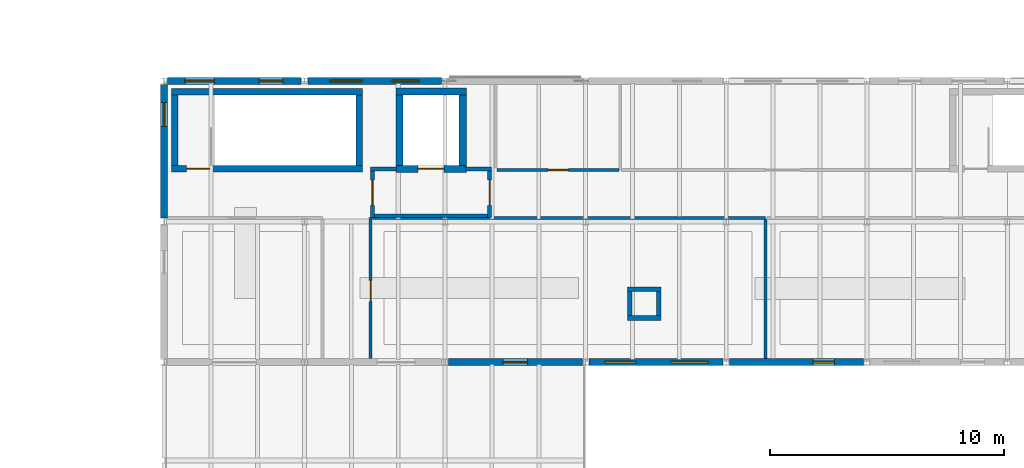
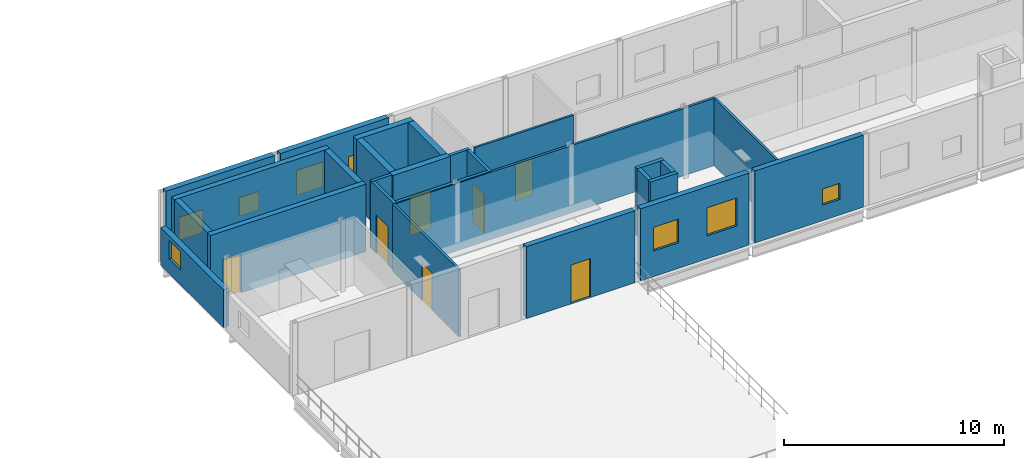
# One storey, part 34 of 45: 27 walls, 8 windows, 7 doors, 15 openings.
"""IFC4 building model written with IfcOpenShell, lengths in metres."""

from ifc_helpers import new_model, si_unit, direction, frame, frame_2d, origin, place, context, subcontext, project, spatial, rectangle, extrude, material, layer, layer_set, type_object, element, fill, save


model = new_model("IFC4")

# Units and contexts
model_context = context("Model", 3, precision=1e-05, world=origin(), true_north=direction((0.0, 1.0)))
body_context = subcontext(model_context, "Body", "Model", "MODEL_VIEW")
ifc_project = project(units=[si_unit("LENGTHUNIT", "METRE"), si_unit("AREAUNIT", "SQUARE_METRE"), si_unit("VOLUMEUNIT", "CUBIC_METRE"), si_unit("PLANEANGLEUNIT", "RADIAN"), si_unit("MASSUNIT", "GRAM", prefix="KILO")], contexts=[model_context])

# Site, building, storey
site_placement = place(None, origin())
site = spatial("IfcSite", under=ifc_project, at=site_placement, CompositionType="ELEMENT")
building_placement = place(site_placement, origin())
building = spatial("IfcBuilding", under=site, at=building_placement, Name="Siltcreek Boulevard Central Fire Station", CompositionType="ELEMENT")
storey_placement = place(building_placement, frame((0.0, 0.0, 10.0)))
storey = spatial("IfcBuildingStorey", under=building, at=storey_placement, Name="L03", CompositionType="ELEMENT", Elevation=10.0)

# Wall, opening, door
ifc_material_1 = material(Name="Concrete C40/50", Category="concrete")
ifc_layer_1 = layer(ifc_material_1, 0.280029296875, Name="Concrete C40/50")
ifc_layer_set_1 = layer_set([ifc_layer_1], Name="Concrete C40/50")
wall_type_1 = type_object("IfcWallType", Name="CW_SHEAR280", PredefinedType="SHEAR", material=ifc_layer_set_1)
wall_1_placement = place(storey_placement, frame((124.52001953125, 26.260009765625, 0.0), z_axis=(0.0, 0.0, 1.0), x_axis=(1.0, 0.0, 0.0)))
wall_1 = element("IfcWall", 1, at=wall_1_placement, inside=storey, type_object=wall_type_1, Name="L03 ST-V6A stair enclosure south shear wall", PredefinedType="SHEAR", context=body_context, shape_type="SweptSolid", body=[
    extrude(rectangle(XDim=8.159912109375, YDim=0.280029296875, at=frame_2d((4.080078125, 0.0))), origin(), (0.0, 0.0, 1.0), 3.75),
])
opening_1_placement = place(wall_1_placement, frame((0.64990234375, 0.0, 0.0)))
opening_1 = element("IfcOpeningElement", 2, at=opening_1_placement, cuts=wall_1, Name="Opening SD-046", PredefinedType="OPENING", context=body_context, shape_type="SweptSolid", body=[
    extrude(rectangle(XDim=0.97998046875, YDim=2.14990234375, at=frame_2d((0.489990234375, 1.074951171875))), frame((0.0, 0.14990234375, 0.0), z_axis=(0.0, -1.0, 0.0), x_axis=(1.0, 0.0, 0.0)), (0.0, 0.0, 1.0), 0.300048828125),
])
ifc_material_2 = material(Name="Hollow metal 90-min enclosed stair door")
door_type_1 = type_object("IfcDoorType", Name="DR_ST_098X215", OperationType="NOTDEFINED", PredefinedType="DOOR", material=ifc_material_2)
door_1_placement = place(opening_1_placement, origin())
door_1 = element("IfcDoor", 3, at=door_1_placement, inside=storey, type_object=door_type_1, Name="L03 ST-V6A enclosed exit stair door SD-046", OperationType="SINGLE_SWING_LEFT", OverallHeight=2.14990234375, OverallWidth=0.97998046875, PredefinedType="DOOR", context=body_context, shape_type="SweptSolid", body=[
    extrude(rectangle(XDim=0.97998046875, YDim=2.14990234375, at=frame_2d((0.489990234375, 1.074951171875))), frame((0.0, 0.02490234375, 0.0), z_axis=(0.0, -1.0, 0.0), x_axis=(1.0, 0.0, 0.0)), (0.0, 0.0, 1.0), 0.050048828125),
])
fill(opening_1, door_1)

# Walls
wall_2_placement = place(storey_placement, frame((132.679931640625, 29.5400390625, 0.0), z_axis=(0.0, 0.0, 1.0), x_axis=(-1.0, 0.0, 0.0)))
element("IfcWall", 4, at=wall_2_placement, inside=storey, type_object=wall_type_1, Name="L03 ST-V6A stair enclosure north shear wall", PredefinedType="SHEAR", context=body_context, shape_type="SweptSolid", body=[
    extrude(rectangle(XDim=8.159912109375, YDim=0.280029296875, at=frame_2d((4.080078125, 0.0))), origin(), (0.0, 0.0, 1.0), 3.75),
])
for number, where, z_axis, x_axis, name in (
    (5, (124.659912109375, 29.39990234375, 0.0), (0.0, 0.0, 1.0), (0.0, -1.0, 0.0), "L03 ST-V6A stair enclosure west shear wall"),
    (6, (132.5400390625, 26.39990234375, 0.0), (0.0, 0.0, 1.0), (0.0, 1.0, 0.0), "L03 ST-V6A stair enclosure east shear wall"),
):
    element("IfcWall", number, at=place(storey_placement, frame(where, z_axis=z_axis, x_axis=x_axis)), inside=storey, type_object=wall_type_1, Name=name, PredefinedType="SHEAR", context=body_context, shape_type="SweptSolid", body=[
        extrude(rectangle(XDim=3.0, YDim=0.280029296875, at=frame_2d((1.5, 0.0))), origin(), (0.0, 0.0, 1.0), 3.75),
    ])

# Wall, opening, door
ifc_layer_2 = layer(ifc_material_1, 0.304931640625, Name="Concrete C40/50")
ifc_layer_set_2 = layer_set([ifc_layer_2], Name="Concrete C40/50")
wall_type_2 = type_object("IfcWallType", Name="CW_SHEAR305", PredefinedType="SHEAR", material=ifc_layer_set_2)
wall_3_placement = place(storey_placement, frame((134.094970703125, 26.24755859375, 0.0), z_axis=(0.0, 0.0, 1.0), x_axis=(1.0, 0.0, 0.0)))
wall_3 = element("IfcWall", 7, at=wall_3_placement, inside=storey, type_object=wall_type_2, Name="L03 EL-05 elevator shaft south shear wall", PredefinedType="SHEAR", context=body_context, shape_type="SweptSolid", body=[
    extrude(rectangle(XDim=3.010009765625, YDim=0.304931640625, at=frame_2d((1.5048828125, 0.0))), origin(), (0.0, 0.0, 1.0), 3.75),
])
opening_2_placement = place(wall_3_placement, frame((0.955078125, 0.0, 0.0)))
opening_2 = element("IfcOpeningElement", 8, at=opening_2_placement, cuts=wall_3, Name="Opening LD01", PredefinedType="OPENING", context=body_context, shape_type="SweptSolid", body=[
    extrude(rectangle(XDim=1.10009765625, YDim=2.14990234375, at=frame_2d((0.550048828125, 1.074951171875))), frame((0.0, 0.162353515625, 0.0), z_axis=(0.0, -1.0, 0.0), x_axis=(1.0, 0.0, 0.0)), (0.0, 0.0, 1.0), 0.324951171875),
])
ifc_material_3 = material(Name="Stainless steel fire-rated sliding elevator landing door", Category="steel")
door_type_2 = type_object("IfcDoorType", Name="DR_LD_110X215", OperationType="NOTDEFINED", PredefinedType="DOOR", material=ifc_material_3)
door_2_placement = place(opening_2_placement, origin())
door_2 = element("IfcDoor", 9, at=door_2_placement, inside=storey, type_object=door_type_2, Name="L03 EL-05 elevator sliding landing door LD-24", OperationType="SLIDING_TO_LEFT", OverallHeight=2.14990234375, OverallWidth=1.10009765625, PredefinedType="DOOR", context=body_context, shape_type="SweptSolid", body=[
    extrude(rectangle(XDim=1.10009765625, YDim=2.14990234375, at=frame_2d((0.550048828125, 1.074951171875))), frame((0.0, 0.02490234375, 0.0), z_axis=(0.0, -1.0, 0.0), x_axis=(1.0, 0.0, 0.0)), (0.0, 0.0, 1.0), 0.050048828125),
])
fill(opening_2, door_2)

# Walls
wall_4_placement = place(storey_placement, frame((137.10498046875, 29.552490234375, 0.0), z_axis=(0.0, 0.0, 1.0), x_axis=(-1.0, 0.0, 0.0)))
element("IfcWall", 10, at=wall_4_placement, inside=storey, type_object=wall_type_2, Name="L03 EL-05 elevator shaft north shear wall", PredefinedType="SHEAR", context=body_context, shape_type="SweptSolid", body=[
    extrude(rectangle(XDim=3.010009765625, YDim=0.304931640625, at=frame_2d((1.5048828125, 0.0))), origin(), (0.0, 0.0, 1.0), 3.75),
])
for number, where, z_axis, x_axis, name in (
    (11, (134.24755859375, 29.39990234375, 0.0), (0.0, 0.0, 1.0), (0.0, -1.0, 0.0), "L03 EL-05 elevator shaft west shear wall"),
    (12, (136.952392578125, 26.39990234375, 0.0), (0.0, 0.0, 1.0), (0.0, 1.0, 0.0), "L03 EL-05 elevator shaft east shear wall"),
):
    element("IfcWall", number, at=place(storey_placement, frame(where, z_axis=z_axis, x_axis=x_axis)), inside=storey, type_object=wall_type_2, Name=name, PredefinedType="SHEAR", context=body_context, shape_type="SweptSolid", body=[
        extrude(rectangle(XDim=3.0, YDim=0.304931640625, at=frame_2d((1.5, 0.0))), origin(), (0.0, 0.0, 1.0), 3.75),
    ])

# Wall, opening, door
ifc_material_4 = material(Name="White ribbed aluminum spandrel wall", Category="aluminium")
ifc_layer_3 = layer(ifc_material_4, 0.2900390625, Name="White ribbed aluminum spandrel wall")
ifc_layer_set_3 = layer_set([ifc_layer_3], Name="White ribbed aluminum spandrel wall")
wall_type_3 = type_object("IfcWallType", Name="EW_METAL290", PredefinedType="STANDARD", material=ifc_layer_set_3)
wall_5_placement = place(storey_placement, frame((136.344970703125, 18.0, 0.0), z_axis=(0.0, 0.0, 1.0), x_axis=(1.0, 0.0, 0.0)))
wall_5 = element("IfcWall", 13, at=wall_5_placement, inside=storey, type_object=wall_type_3, Name="L03 V6 exterior insulated rainscreen wall WL-EXT-L03-0487", PredefinedType="STANDARD", context=body_context, shape_type="SweptSolid", body=[
    extrude(rectangle(XDim=5.7099609375, YDim=0.2900390625, at=frame_2d((2.85498046875, 0.0))), origin(), (0.0, 0.0, 1.0), 4.0),
])
opening_3_placement = place(wall_5_placement, frame((2.3349609375, 0.0, 0.0)))
opening_3 = element("IfcOpeningElement", 14, at=opening_3_placement, cuts=wall_5, Name="Opening TD-047", PredefinedType="OPENING", context=body_context, shape_type="SweptSolid", body=[
    extrude(rectangle(XDim=1.0400390625, YDim=2.159912109375, at=frame_2d((0.52001953125, 1.080078125))), frame((0.0, 0.155029296875, 0.0), z_axis=(0.0, -1.0, 0.0), x_axis=(1.0, 0.0, 0.0)), (0.0, 0.0, 1.0), 0.31005859375),
])
ifc_material_5 = material(Name="Thermally broken glazed terrace single door")
door_type_3 = type_object("IfcDoorType", Name="DR_TER_104X216", OperationType="NOTDEFINED", PredefinedType="DOOR", material=ifc_material_5)
door_3_placement = place(opening_3_placement, frame((1.0400390625, 0.0, 0.0), z_axis=(0.0, 0.0, 1.0), x_axis=(-1.0, 0.0, 0.0)))
door_3 = element("IfcDoor", 15, at=door_3_placement, inside=storey, type_object=door_type_3, Name="L03 V6 outdoor terrace access door TD-047", OperationType="SINGLE_SWING_RIGHT", OverallHeight=2.159912109375, OverallWidth=1.0400390625, PredefinedType="DOOR", context=body_context, shape_type="SweptSolid", body=[
    extrude(rectangle(XDim=1.0400390625, YDim=2.159912109375, at=frame_2d((0.52001953125, 1.080078125))), frame((0.0, 0.02490234375, 0.0), z_axis=(0.0, -1.0, 0.0), x_axis=(1.0, 0.0, 0.0)), (0.0, 0.0, 1.0), 0.050048828125),
])
fill(opening_3, door_3)

# Wall, openings, windows
wall_6_placement = place(storey_placement, frame((142.344970703125, 18.0, 0.0), z_axis=(0.0, 0.0, 1.0), x_axis=(1.0, 0.0, 0.0)))
wall_6 = element("IfcWall", 16, at=wall_6_placement, inside=storey, type_object=wall_type_3, Name="L03 V6 exterior insulated rainscreen wall WL-EXT-L03-0488", PredefinedType="STANDARD", context=body_context, shape_type="SweptSolid", body=[
    extrude(rectangle(XDim=5.7099609375, YDim=0.2900390625, at=frame_2d((2.85498046875, 0.0))), origin(), (0.0, 0.0, 1.0), 4.0),
])
opening_4_placement = place(wall_6_placement, frame((0.669921875, 0.0, 1.419921875)))
opening_4 = element("IfcOpeningElement", 17, at=opening_4_placement, cuts=wall_6, Name="Opening WN02", PredefinedType="OPENING", context=body_context, shape_type="SweptSolid", body=[
    extrude(rectangle(XDim=1.320068359375, YDim=1.320068359375, at=frame_2d((0.66015625, 0.66015625))), frame((0.0, 0.155029296875, 0.0), z_axis=(0.0, -1.0, 0.0), x_axis=(1.0, 0.0, 0.0)), (0.0, 0.0, 1.0), 0.31005859375),
])
opening_5_placement = place(wall_6_placement, frame((3.504150390625, 0.0, 1.280029296875)))
opening_5 = element("IfcOpeningElement", 18, at=opening_5_placement, cuts=wall_6, Name="Opening WN04", PredefinedType="OPENING", context=body_context, shape_type="SweptSolid", body=[
    extrude(rectangle(XDim=1.56005859375, YDim=1.56005859375, at=frame_2d((0.780029296875, 0.780029296875))), frame((0.0, 0.155029296875, 0.0), z_axis=(0.0, -1.0, 0.0), x_axis=(1.0, 0.0, 0.0)), (0.0, 0.0, 1.0), 0.31005859375),
])
ifc_material_6 = material(Name="Thermally broken aluminum frame with low-E insulated glass", Category="aluminium")
window_type_1 = type_object("IfcWindowType", Name="WN_SQ_132X132", PartitioningType="SINGLE_PANEL", PredefinedType="WINDOW", material=ifc_material_6)
window_1_placement = place(opening_4_placement, origin())
window_1 = element("IfcWindow", 19, at=window_1_placement, inside=storey, type_object=window_type_1, Name="L03 V6 square exterior window WN-0222", OverallHeight=1.320068359375, OverallWidth=1.320068359375, PartitioningType="SINGLE_PANEL", PredefinedType="WINDOW", context=body_context, shape_type="SweptSolid", body=[
    extrude(rectangle(XDim=1.320068359375, YDim=1.320068359375, at=frame_2d((0.66015625, 0.66015625))), frame((0.0, 0.030029296875, 0.0), z_axis=(0.0, -1.0, 0.0), x_axis=(1.0, 0.0, 0.0)), (0.0, 0.0, 1.0), 0.06005859375),
])
fill(opening_4, window_1)
window_type_2 = type_object("IfcWindowType", Name="WN_SQ_156X156", PartitioningType="SINGLE_PANEL", PredefinedType="WINDOW", material=ifc_material_6)
window_2_placement = place(opening_5_placement, origin())
window_2 = element("IfcWindow", 20, at=window_2_placement, inside=storey, type_object=window_type_2, Name="L03 V6 square exterior window WN-0223", OverallHeight=1.56005859375, OverallWidth=1.56005859375, PartitioningType="SINGLE_PANEL", PredefinedType="WINDOW", context=body_context, shape_type="SweptSolid", body=[
    extrude(rectangle(XDim=1.56005859375, YDim=1.56005859375, at=frame_2d((0.780029296875, 0.780029296875))), frame((0.0, 0.030029296875, 0.0), z_axis=(0.0, -1.0, 0.0), x_axis=(1.0, 0.0, 0.0)), (0.0, 0.0, 1.0), 0.06005859375),
])
fill(opening_5, window_2)

# Wall, opening, window
wall_7_placement = place(storey_placement, frame((148.344970703125, 18.0, 0.0), z_axis=(0.0, 0.0, 1.0), x_axis=(1.0, 0.0, 0.0)))
wall_7 = element("IfcWall", 21, at=wall_7_placement, inside=storey, type_object=wall_type_3, Name="L03 V6 exterior insulated rainscreen wall WL-EXT-L03-0489", PredefinedType="STANDARD", context=body_context, shape_type="SweptSolid", body=[
    extrude(rectangle(XDim=5.7099609375, YDim=0.2900390625, at=frame_2d((2.85498046875, 0.0))), origin(), (0.0, 0.0, 1.0), 4.0),
])
opening_6_placement = place(wall_7_placement, frame((3.5673828125, 0.0, 0.860107421875)))
opening_6 = element("IfcOpeningElement", 22, at=opening_6_placement, cuts=wall_7, Name="Opening WN37", PredefinedType="OPENING", context=body_context, shape_type="SweptSolid", body=[
    extrude(rectangle(XDim=0.89990234375, YDim=0.89990234375, at=frame_2d((0.449951171875, 0.449951171875))), frame((0.0, 0.155029296875, 0.0), z_axis=(0.0, -1.0, 0.0), x_axis=(1.0, 0.0, 0.0)), (0.0, 0.0, 1.0), 0.31005859375),
])
window_type_3 = type_object("IfcWindowType", Name="WN_SQ_090X090", PartitioningType="SINGLE_PANEL", PredefinedType="WINDOW", material=ifc_material_6)
window_3_placement = place(opening_6_placement, origin())
window_3 = element("IfcWindow", 23, at=window_3_placement, inside=storey, type_object=window_type_3, Name="L03 V6 square exterior window WN-0224", OverallHeight=0.89990234375, OverallWidth=0.89990234375, PartitioningType="SINGLE_PANEL", PredefinedType="WINDOW", context=body_context, shape_type="SweptSolid", body=[
    extrude(rectangle(XDim=0.89990234375, YDim=0.89990234375, at=frame_2d((0.449951171875, 0.449951171875))), frame((0.0, 0.030029296875, 0.0), z_axis=(0.0, -1.0, 0.0), x_axis=(1.0, 0.0, 0.0)), (0.0, 0.0, 1.0), 0.06005859375),
])
fill(opening_6, window_3)

# Wall, openings, windows
wall_8_placement = place(storey_placement, frame((130.054931640625, 30.0, 0.0), z_axis=(0.0, 0.0, 1.0), x_axis=(-1.0, 0.0, 0.0)))
wall_8 = element("IfcWall", 24, at=wall_8_placement, inside=storey, type_object=wall_type_3, Name="L03 V6 exterior insulated rainscreen wall WL-EXT-L03-0492", PredefinedType="STANDARD", context=body_context, shape_type="SweptSolid", body=[
    extrude(rectangle(XDim=5.7099609375, YDim=0.2900390625, at=frame_2d((2.85498046875, 0.0))), origin(), (0.0, 0.0, 1.0), 4.0),
])
opening_7_placement = place(wall_8_placement, frame((0.77490234375, 0.0, 1.179931640625)))
opening_7 = element("IfcOpeningElement", 25, at=opening_7_placement, cuts=wall_8, Name="Opening WN38", PredefinedType="OPENING", context=body_context, shape_type="SweptSolid", body=[
    extrude(rectangle(XDim=1.02001953125, YDim=1.02001953125, at=frame_2d((0.510009765625, 0.510009765625))), frame((0.0, 0.155029296875, 0.0), z_axis=(0.0, -1.0, 0.0), x_axis=(1.0, 0.0, 0.0)), (0.0, 0.0, 1.0), 0.31005859375),
])
opening_8_placement = place(wall_8_placement, frame((3.69921875, 0.0, 0.9599609375)))
opening_8 = element("IfcOpeningElement", 26, at=opening_8_placement, cuts=wall_8, Name="Opening WN40", PredefinedType="OPENING", context=body_context, shape_type="SweptSolid", body=[
    extrude(rectangle(XDim=1.260009765625, YDim=1.260009765625, at=frame_2d((0.6298828125, 0.6298828125))), frame((0.0, 0.155029296875, 0.0), z_axis=(0.0, -1.0, 0.0), x_axis=(1.0, 0.0, 0.0)), (0.0, 0.0, 1.0), 0.31005859375),
])
window_type_4 = type_object("IfcWindowType", Name="WN_SQ_102X102", PartitioningType="SINGLE_PANEL", PredefinedType="WINDOW", material=ifc_material_6)
window_4_placement = place(opening_7_placement, origin())
window_4 = element("IfcWindow", 27, at=window_4_placement, inside=storey, type_object=window_type_4, Name="L03 V6 square exterior window WN-0229", OverallHeight=1.02001953125, OverallWidth=1.02001953125, PartitioningType="SINGLE_PANEL", PredefinedType="WINDOW", context=body_context, shape_type="SweptSolid", body=[
    extrude(rectangle(XDim=1.02001953125, YDim=1.02001953125, at=frame_2d((0.510009765625, 0.510009765625))), frame((0.0, 0.030029296875, 0.0), z_axis=(0.0, -1.0, 0.0), x_axis=(1.0, 0.0, 0.0)), (0.0, 0.0, 1.0), 0.06005859375),
])
fill(opening_7, window_4)
window_type_5 = type_object("IfcWindowType", Name="WN_SQ_126X126", PartitioningType="SINGLE_PANEL", PredefinedType="WINDOW", material=ifc_material_6)
window_5_placement = place(opening_8_placement, origin())
window_5 = element("IfcWindow", 28, at=window_5_placement, inside=storey, type_object=window_type_5, Name="L03 V6 square exterior window WN-0230", OverallHeight=1.260009765625, OverallWidth=1.260009765625, PartitioningType="SINGLE_PANEL", PredefinedType="WINDOW", context=body_context, shape_type="SweptSolid", body=[
    extrude(rectangle(XDim=1.260009765625, YDim=1.260009765625, at=frame_2d((0.6298828125, 0.6298828125))), frame((0.0, 0.030029296875, 0.0), z_axis=(0.0, -1.0, 0.0), x_axis=(1.0, 0.0, 0.0)), (0.0, 0.0, 1.0), 0.06005859375),
])
fill(opening_8, window_5)

wall_9_placement = place(storey_placement, frame((136.054931640625, 30.0, 0.0), z_axis=(0.0, 0.0, 1.0), x_axis=(-1.0, 0.0, 0.0)))
wall_9 = element("IfcWall", 29, at=wall_9_placement, inside=storey, type_object=wall_type_3, Name="L03 V6 exterior insulated rainscreen wall WL-EXT-L03-0493", PredefinedType="STANDARD", context=body_context, shape_type="SweptSolid", body=[
    extrude(rectangle(XDim=5.7099609375, YDim=0.2900390625, at=frame_2d((2.85498046875, 0.0))), origin(), (0.0, 0.0, 1.0), 4.0),
])
opening_9_placement = place(wall_9_placement, frame((0.975341796875, 0.0, 1.419921875)))
opening_9 = element("IfcOpeningElement", 30, at=opening_9_placement, cuts=wall_9, Name="Opening WN39", PredefinedType="OPENING", context=body_context, shape_type="SweptSolid", body=[
    extrude(rectangle(XDim=1.139892578125, YDim=1.139892578125, at=frame_2d((0.56982421875, 0.56982421875))), frame((0.0, 0.155029296875, 0.0), z_axis=(0.0, -1.0, 0.0), x_axis=(1.0, 0.0, 0.0)), (0.0, 0.0, 1.0), 0.31005859375),
])
opening_10_placement = place(wall_9_placement, frame((3.3994140625, 0.0, 1.280029296875)))
opening_10 = element("IfcOpeningElement", 31, at=opening_10_placement, cuts=wall_9, Name="Opening WN41", PredefinedType="OPENING", context=body_context, shape_type="SweptSolid", body=[
    extrude(rectangle(XDim=1.3798828125, YDim=1.3798828125, at=frame_2d((0.68994140625, 0.68994140625))), frame((0.0, 0.155029296875, 0.0), z_axis=(0.0, -1.0, 0.0), x_axis=(1.0, 0.0, 0.0)), (0.0, 0.0, 1.0), 0.31005859375),
])
window_type_6 = type_object("IfcWindowType", Name="WN_SQ_114X114", PartitioningType="SINGLE_PANEL", PredefinedType="WINDOW", material=ifc_material_6)
window_6_placement = place(opening_9_placement, origin())
window_6 = element("IfcWindow", 32, at=window_6_placement, inside=storey, type_object=window_type_6, Name="L03 V6 square exterior window WN-0231", OverallHeight=1.139892578125, OverallWidth=1.139892578125, PartitioningType="SINGLE_PANEL", PredefinedType="WINDOW", context=body_context, shape_type="SweptSolid", body=[
    extrude(rectangle(XDim=1.139892578125, YDim=1.139892578125, at=frame_2d((0.56982421875, 0.56982421875))), frame((0.0, 0.030029296875, 0.0), z_axis=(0.0, -1.0, 0.0), x_axis=(1.0, 0.0, 0.0)), (0.0, 0.0, 1.0), 0.06005859375),
])
fill(opening_9, window_6)
window_type_7 = type_object("IfcWindowType", Name="WN_SQ_138X138", PartitioningType="SINGLE_PANEL", PredefinedType="WINDOW", material=ifc_material_6)
window_7_placement = place(opening_10_placement, origin())
window_7 = element("IfcWindow", 33, at=window_7_placement, inside=storey, type_object=window_type_7, Name="L03 V6 square exterior window WN-0232", OverallHeight=1.3798828125, OverallWidth=1.3798828125, PartitioningType="SINGLE_PANEL", PredefinedType="WINDOW", context=body_context, shape_type="SweptSolid", body=[
    extrude(rectangle(XDim=1.3798828125, YDim=1.3798828125, at=frame_2d((0.68994140625, 0.68994140625))), frame((0.0, 0.030029296875, 0.0), z_axis=(0.0, -1.0, 0.0), x_axis=(1.0, 0.0, 0.0)), (0.0, 0.0, 1.0), 0.06005859375),
])
fill(opening_10, window_7)

# Wall, opening, window
wall_10_placement = place(storey_placement, frame((124.199951171875, 29.85498046875, 0.0), z_axis=(0.0, 0.0, 1.0), x_axis=(0.0, -1.0, 0.0)))
wall_10 = element("IfcWall", 34, at=wall_10_placement, inside=storey, type_object=wall_type_3, Name="L03 V6 exterior insulated rainscreen wall WL-EXT-L03-0500", PredefinedType="STANDARD", context=body_context, shape_type="SweptSolid", body=[
    extrude(rectangle(XDim=5.7099609375, YDim=0.2900390625, at=frame_2d((2.85498046875, 0.0))), origin(), (0.0, 0.0, 1.0), 2.099609375),
])
opening_11_placement = place(wall_10_placement, frame((0.77490234375, 0.0, 0.820068359375)))
opening_11 = element("IfcOpeningElement", 35, at=opening_11_placement, cuts=wall_10, Name="Opening WN38", PredefinedType="OPENING", context=body_context, shape_type="SweptSolid", body=[
    extrude(rectangle(XDim=1.02001953125, YDim=1.02001953125, at=frame_2d((0.510009765625, 0.510009765625))), frame((0.0, 0.155029296875, 0.0), z_axis=(0.0, -1.0, 0.0), x_axis=(1.0, 0.0, 0.0)), (0.0, 0.0, 1.0), 0.31005859375),
])
window_8_placement = place(opening_11_placement, origin())
window_8 = element("IfcWindow", 36, at=window_8_placement, inside=storey, type_object=window_type_4, Name="L03 V6 square exterior window WN-0241", OverallHeight=1.02001953125, OverallWidth=1.02001953125, PartitioningType="SINGLE_PANEL", PredefinedType="WINDOW", context=body_context, shape_type="SweptSolid", body=[
    extrude(rectangle(XDim=1.02001953125, YDim=1.02001953125, at=frame_2d((0.510009765625, 0.510009765625))), frame((0.0, 0.030029296875, 0.0), z_axis=(0.0, -1.0, 0.0), x_axis=(1.0, 0.0, 0.0)), (0.0, 0.0, 1.0), 0.06005859375),
])
fill(opening_11, window_8)

# Walls
ifc_material_7 = material(Name="Fire-rated concrete masonry and gypsum barrier", Category="masonry")
ifc_layer_4 = layer(ifc_material_7, 0.199951171875, Name="Fire-rated concrete masonry and gypsum barrier")
ifc_layer_set_4 = layer_set([ifc_layer_4], Name="Fire-rated concrete masonry and gypsum barrier")
wall_type_4 = type_object("IfcWallType", Name="IW_FIRE200", PredefinedType="PARTITIONING", material=ifc_layer_set_4)
wall_11_placement = place(storey_placement, frame((143.985107421875, 19.885009765625, 0.0), z_axis=(0.0, 0.0, 1.0), x_axis=(1.0, 0.0, 0.0)))
element("IfcWall", 37, at=wall_11_placement, inside=storey, type_object=wall_type_4, Name="L03 enclosed MEP service riser wall 025-S", PredefinedType="PARTITIONING", context=body_context, shape_type="SweptSolid", body=[
    extrude(rectangle(XDim=1.429931640625, YDim=0.199951171875, at=frame_2d((0.71484375, 0.0))), origin(), (0.0, 0.0, 1.0), 3.739990234375),
])
wall_12_placement = place(storey_placement, frame((145.31494140625, 19.985107421875, 0.0), z_axis=(0.0, 0.0, 1.0), x_axis=(0.0, 1.0, 0.0)))
element("IfcWall", 38, at=wall_12_placement, inside=storey, type_object=wall_type_4, Name="L03 enclosed MEP service riser wall 025-E", PredefinedType="PARTITIONING", context=body_context, shape_type="SweptSolid", body=[
    extrude(rectangle(XDim=1.02978515625, YDim=0.199951171875, at=frame_2d((0.514892578125, 0.0))), origin(), (0.0, 0.0, 1.0), 3.739990234375),
])
wall_13_placement = place(storey_placement, frame((145.4150390625, 21.114990234375, 0.0), z_axis=(0.0, 0.0, 1.0), x_axis=(-1.0, 0.0, 0.0)))
element("IfcWall", 39, at=wall_13_placement, inside=storey, type_object=wall_type_4, Name="L03 enclosed MEP service riser wall 025-N", PredefinedType="PARTITIONING", context=body_context, shape_type="SweptSolid", body=[
    extrude(rectangle(XDim=1.429931640625, YDim=0.199951171875, at=frame_2d((0.71484375, 0.0))), origin(), (0.0, 0.0, 1.0), 3.739990234375),
])
wall_14_placement = place(storey_placement, frame((144.0849609375, 21.014892578125, 0.0), z_axis=(0.0, 0.0, 1.0), x_axis=(0.0, -1.0, 0.0)))
element("IfcWall", 40, at=wall_14_placement, inside=storey, type_object=wall_type_4, Name="L03 enclosed MEP service riser wall 025-W", PredefinedType="PARTITIONING", context=body_context, shape_type="SweptSolid", body=[
    extrude(rectangle(XDim=1.02978515625, YDim=0.199951171875, at=frame_2d((0.514892578125, 0.0))), origin(), (0.0, 0.0, 1.0), 3.739990234375),
])

# Wall, opening, door
ifc_material_8 = material(Name="Interior steel stud gypsum partition", Category="steel")
ifc_layer_5 = layer(ifc_material_8, 0.125, Name="Interior steel stud gypsum partition")
ifc_layer_set_5 = layer_set([ifc_layer_5], Name="Interior steel stud gypsum partition")
wall_type_5 = type_object("IfcWallType", Name="IW_PART125", PredefinedType="PARTITIONING", material=ifc_layer_set_5)
wall_15_placement = place(storey_placement, frame((133.02001953125, 18.14501953125, 0.0), z_axis=(0.0, 0.0, 1.0), x_axis=(0.0, 1.0, 0.0)))
wall_15 = element("IfcWall", 41, at=wall_15_placement, inside=storey, type_object=wall_type_5, Name="L03 Hazmat Plume Simulation Laboratory partition 0299", PredefinedType="PARTITIONING", context=body_context, shape_type="SweptSolid", body=[
    extrude(rectangle(XDim=6.0224609375, YDim=0.125, at=frame_2d((3.01123046875, 0.0))), origin(), (0.0, 0.0, 1.0), 3.739990234375),
])
opening_12_placement = place(wall_15_placement, frame((2.447021484375, 0.0, 0.0)))
opening_12 = element("IfcOpeningElement", 42, at=opening_12_placement, cuts=wall_15, Name="Opening ID08", PredefinedType="OPENING", context=body_context, shape_type="SweptSolid", body=[
    extrude(rectangle(XDim=0.89990234375, YDim=2.10009765625, at=frame_2d((0.449951171875, 1.050048828125))), frame((0.0, 0.072509765625, 0.0), z_axis=(0.0, -1.0, 0.0), x_axis=(1.0, 0.0, 0.0)), (0.0, 0.0, 1.0), 0.14501953125),
])
ifc_material_9 = material(Name="Moisture-resistant accessible toilet door")
door_type_4 = type_object("IfcDoorType", Name="DR_WC_090X210", OperationType="NOTDEFINED", PredefinedType="DOOR", material=ifc_material_9)
door_4_placement = place(opening_12_placement, frame((0.89990234375, 0.0, 0.0), z_axis=(0.0, 0.0, 1.0), x_axis=(-1.0, 0.0, 0.0)))
door_4 = element("IfcDoor", 43, at=door_4_placement, inside=storey, type_object=door_type_4, Name="L03 Hazmat Plume Simulation Laboratory door ID-0132", OperationType="SINGLE_SWING_LEFT", OverallHeight=2.10009765625, OverallWidth=0.89990234375, PredefinedType="DOOR", context=body_context, shape_type="SweptSolid", body=[
    extrude(rectangle(XDim=0.89990234375, YDim=2.10009765625, at=frame_2d((0.449951171875, 1.050048828125))), frame((0.0, 0.02490234375, 0.0), z_axis=(0.0, -1.0, 0.0), x_axis=(1.0, 0.0, 0.0)), (0.0, 0.0, 1.0), 0.050048828125),
])
fill(opening_12, door_4)

# Walls
wall_16_placement = place(storey_placement, frame((133.10009765625, 24.159912109375, 0.0), z_axis=(0.0, 0.0, 1.0), x_axis=(1.0, 0.0, 0.0)))
element("IfcWall", 44, at=wall_16_placement, inside=storey, type_object=wall_type_5, Name="L03 Hazmat Plume Simulation Laboratory partition 0300", PredefinedType="PARTITIONING", context=body_context, shape_type="SweptSolid", body=[
    extrude(rectangle(XDim=16.782470703125, YDim=0.125, at=frame_2d((8.39111328125, 0.0))), origin(), (0.0, 0.0, 1.0), 3.739990234375),
])
wall_17_placement = place(storey_placement, frame((149.8798828125, 24.097412109375, 0.0), z_axis=(0.0, 0.0, 1.0), x_axis=(0.0, -1.0, 0.0)))
element("IfcWall", 45, at=wall_17_placement, inside=storey, type_object=wall_type_5, Name="L03 Hazmat Plume Simulation Laboratory partition 0301", PredefinedType="PARTITIONING", context=body_context, shape_type="SweptSolid", body=[
    extrude(rectangle(XDim=5.952392578125, YDim=0.125, at=frame_2d((2.97607421875, 0.0))), origin(), (0.0, 0.0, 1.0), 3.739990234375),
])
ifc_material_10 = material(Name="Acoustic smoke-barrier steel stud gypsum wall", Category="steel")
ifc_layer_6 = layer(ifc_material_10, 0.1650390625, Name="Acoustic smoke-barrier steel stud gypsum wall")
ifc_layer_set_6 = layer_set([ifc_layer_6], Name="Acoustic smoke-barrier steel stud gypsum wall")
wall_type_6 = type_object("IfcWallType", Name="IW_SMK165", PredefinedType="PARTITIONING", material=ifc_layer_set_6)
wall_18_placement = place(storey_placement, frame((133.02001953125, 24.25, 0.0), z_axis=(0.0, 0.0, 1.0), x_axis=(1.0, 0.0, 0.0)))
element("IfcWall", 46, at=wall_18_placement, inside=storey, type_object=wall_type_6, Name="L03 EL-05 elevator lobby S smoke partition", PredefinedType="PARTITIONING", context=body_context, shape_type="SweptSolid", body=[
    extrude(rectangle(XDim=5.159912109375, YDim=0.1650390625, at=frame_2d((2.580078125, 0.0))), origin(), (0.0, 0.0, 1.0), 3.739990234375),
])
for number, where, z_axis, x_axis, name in (
    (47, (133.02001953125, 26.24755859375, 0.0), (0.0, 0.0, 1.0), (1.0, 0.0, 0.0), "L03 EL-05 elevator lobby NW smoke partition"),
    (48, (137.06494140625, 26.24755859375, 0.0), (0.0, 0.0, 1.0), (1.0, 0.0, 0.0), "L03 EL-05 elevator lobby NE smoke partition"),
):
    element("IfcWall", number, at=place(storey_placement, frame(where, z_axis=z_axis, x_axis=x_axis)), inside=storey, type_object=wall_type_6, Name=name, PredefinedType="PARTITIONING", context=body_context, shape_type="SweptSolid", body=[
        extrude(rectangle(XDim=1.114990234375, YDim=0.1650390625, at=frame_2d((0.5576171875, 0.0))), origin(), (0.0, 0.0, 1.0), 3.739990234375),
    ])

# Wall, opening, door
wall_19_placement = place(storey_placement, frame((133.10009765625, 24.169921875, 0.0), z_axis=(0.0, 0.0, 1.0), x_axis=(0.0, 1.0, 0.0)))
wall_19 = element("IfcWall", 49, at=wall_19_placement, inside=storey, type_object=wall_type_6, Name="L03 EL-05 elevator lobby W smoke partition", PredefinedType="PARTITIONING", context=body_context, shape_type="SweptSolid", body=[
    extrude(rectangle(XDim=2.11767578125, YDim=0.1650390625, at=frame_2d((1.058837890625, 0.0))), origin(), (0.0, 0.0, 1.0), 3.739990234375),
])
opening_13_placement = place(wall_19_placement, frame((0.518798828125, 0.0, 0.0)))
opening_13 = element("IfcOpeningElement", 50, at=opening_13_placement, cuts=wall_19, Name="Opening DD01", PredefinedType="OPENING", context=body_context, shape_type="SweptSolid", body=[
    extrude(rectangle(XDim=1.080078125, YDim=2.139892578125, at=frame_2d((0.5400390625, 1.06982421875))), frame((0.0, 0.092529296875, 0.0), z_axis=(0.0, -1.0, 0.0), x_axis=(1.0, 0.0, 0.0)), (0.0, 0.0, 1.0), 0.18505859375),
])
ifc_material_11 = material(Name="Stainless steel positive-pressure decon airlock door", Category="steel")
door_type_5 = type_object("IfcDoorType", Name="DR_DEC_108X214", OperationType="NOTDEFINED", PredefinedType="DOOR", material=ifc_material_11)
door_5_placement = place(opening_13_placement, frame((1.080078125, 0.0, 0.0), z_axis=(0.0, 0.0, 1.0), x_axis=(-1.0, 0.0, 0.0)))
door_5 = element("IfcDoor", 51, at=door_5_placement, inside=storey, type_object=door_type_5, Name="L03 EL-05 elevator lobby W smoke door", OperationType="SINGLE_SWING_LEFT", OverallHeight=2.139892578125, OverallWidth=1.080078125, PredefinedType="DOOR", context=body_context, shape_type="SweptSolid", body=[
    extrude(rectangle(XDim=1.080078125, YDim=2.139892578125, at=frame_2d((0.5400390625, 1.06982421875))), frame((0.0, 0.02490234375, 0.0), z_axis=(0.0, -1.0, 0.0), x_axis=(1.0, 0.0, 0.0)), (0.0, 0.0, 1.0), 0.050048828125),
])
fill(opening_13, door_5)

wall_20_placement = place(storey_placement, frame((138.10009765625, 24.169921875, 0.0), z_axis=(0.0, 0.0, 1.0), x_axis=(0.0, 1.0, 0.0)))
wall_20 = element("IfcWall", 52, at=wall_20_placement, inside=storey, type_object=wall_type_6, Name="L03 EL-05 elevator lobby E smoke partition", PredefinedType="PARTITIONING", context=body_context, shape_type="SweptSolid", body=[
    extrude(rectangle(XDim=2.11767578125, YDim=0.1650390625, at=frame_2d((1.058837890625, 0.0))), origin(), (0.0, 0.0, 1.0), 3.739990234375),
])
opening_14_placement = place(wall_20_placement, frame((0.518798828125, 0.0, 0.0)))
opening_14 = element("IfcOpeningElement", 53, at=opening_14_placement, cuts=wall_20, Name="Opening DD01", PredefinedType="OPENING", context=body_context, shape_type="SweptSolid", body=[
    extrude(rectangle(XDim=1.080078125, YDim=2.139892578125, at=frame_2d((0.5400390625, 1.06982421875))), frame((0.0, 0.092529296875, 0.0), z_axis=(0.0, -1.0, 0.0), x_axis=(1.0, 0.0, 0.0)), (0.0, 0.0, 1.0), 0.18505859375),
])
door_6_placement = place(opening_14_placement, origin())
door_6 = element("IfcDoor", 54, at=door_6_placement, inside=storey, type_object=door_type_5, Name="L03 EL-05 elevator lobby E smoke door", OperationType="SINGLE_SWING_RIGHT", OverallHeight=2.139892578125, OverallWidth=1.080078125, PredefinedType="DOOR", context=body_context, shape_type="SweptSolid", body=[
    extrude(rectangle(XDim=1.080078125, YDim=2.139892578125, at=frame_2d((0.5400390625, 1.06982421875))), frame((0.0, 0.02490234375, 0.0), z_axis=(0.0, -1.0, 0.0), x_axis=(1.0, 0.0, 0.0)), (0.0, 0.0, 1.0), 0.050048828125),
])
fill(opening_14, door_6)

ifc_material_12 = material(Name="Moisture-resistant tile backer toilet partition", Category="gypsum")
ifc_layer_7 = layer(ifc_material_12, 0.110107421875, Name="Moisture-resistant tile backer toilet partition")
ifc_layer_set_7 = layer_set([ifc_layer_7], Name="Moisture-resistant tile backer toilet partition")
wall_type_7 = type_object("IfcWallType", Name="IW_WET110", PredefinedType="PARTITIONING", material=ifc_layer_set_7)
wall_21_placement = place(storey_placement, frame((143.625, 26.199951171875, 0.0), z_axis=(0.0, 0.0, 1.0), x_axis=(-1.0, 0.0, 0.0)))
wall_21 = element("IfcWall", 55, at=wall_21_placement, inside=storey, type_object=wall_type_7, Name="L03 Simulation Accessible Toilet L03 partition 0305", PredefinedType="PARTITIONING", context=body_context, shape_type="SweptSolid", body=[
    extrude(rectangle(XDim=5.199951171875, YDim=0.110107421875, at=frame_2d((2.60009765625, 0.0))), origin(), (0.0, 0.0, 1.0), 3.739990234375),
])
opening_15_placement = place(wall_21_placement, frame((2.1650390625, 0.0, 0.0)))
opening_15 = element("IfcOpeningElement", 56, at=opening_15_placement, cuts=wall_21, Name="Opening ID09", PredefinedType="OPENING", context=body_context, shape_type="SweptSolid", body=[
    extrude(rectangle(XDim=0.8701171875, YDim=2.06005859375, at=frame_2d((0.43505859375, 1.030029296875))), frame((0.0, 0.06494140625, 0.0), z_axis=(0.0, -1.0, 0.0), x_axis=(1.0, 0.0, 0.0)), (0.0, 0.0, 1.0), 0.130126953125),
])
ifc_material_13 = material(Name="Moisture-resistant staff toilet door")
door_type_6 = type_object("IfcDoorType", Name="DR_WC_087X206", OperationType="NOTDEFINED", PredefinedType="DOOR", material=ifc_material_13)
door_7_placement = place(opening_15_placement, frame((0.8701171875, 0.0, 0.0), z_axis=(0.0, 0.0, 1.0), x_axis=(-1.0, 0.0, 0.0)))
door_7 = element("IfcDoor", 57, at=door_7_placement, inside=storey, type_object=door_type_6, Name="L03 Simulation Accessible Toilet L03 door ID-0134", OperationType="SINGLE_SWING_LEFT", OverallHeight=2.06005859375, OverallWidth=0.8701171875, PredefinedType="DOOR", context=body_context, shape_type="SweptSolid", body=[
    extrude(rectangle(XDim=0.8701171875, YDim=2.06005859375, at=frame_2d((0.43505859375, 1.030029296875))), frame((0.0, 0.02490234375, 0.0), z_axis=(0.0, -1.0, 0.0), x_axis=(1.0, 0.0, 0.0)), (0.0, 0.0, 1.0), 0.050048828125),
])
fill(opening_15, door_7)

save(model, "model.ifc")
